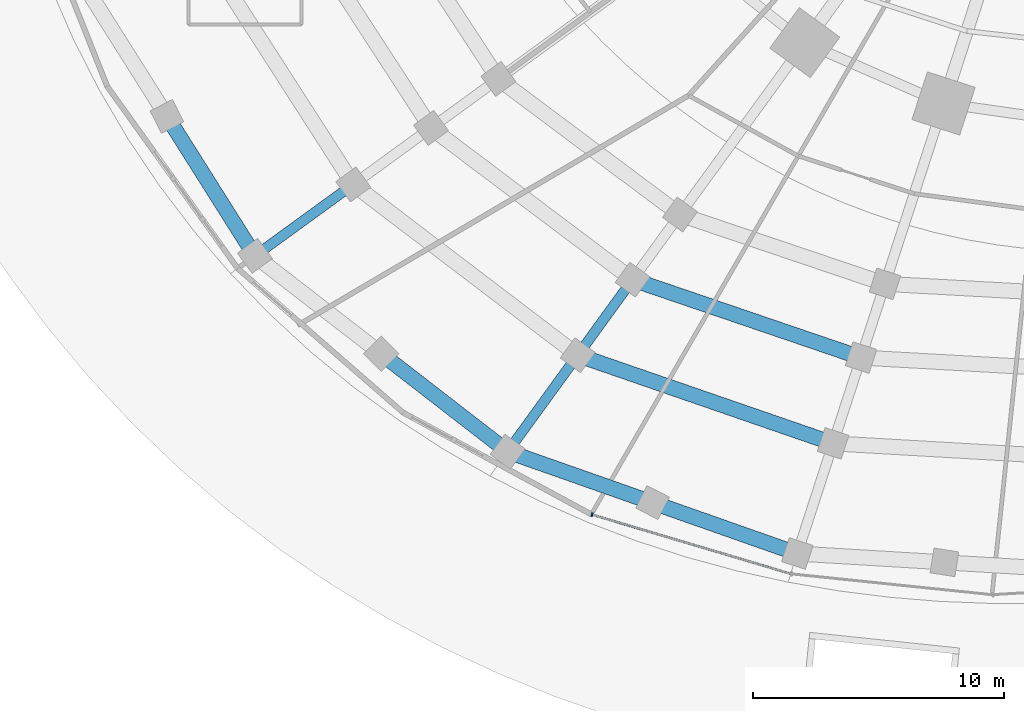
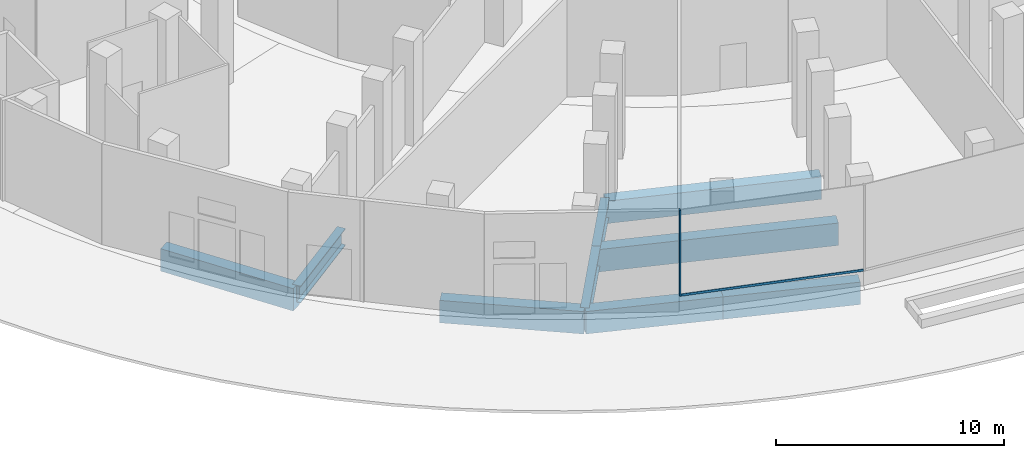
# One storey, part 2 of 23: 9 beams, 2 members, 1 element without a shape of its own.
"""IFC4 building model written with IfcOpenShell, lengths in metres."""

from ifc_helpers import new_model, si_unit, direction, frame, origin, origin_2d, place, context, subcontext, project, spatial, rectangle, i_section, extrude, material, material_profile, profile_set, type_object, element, aggregate, save


model = new_model("IFC4")

# Units and contexts
model_context = context("Model", 3, precision=1e-05, world=origin(), true_north=direction((0.0, 1.0)))
body_context = subcontext(model_context, "Body", "Model", "MODEL_VIEW")
ifc_project = project(units=[si_unit("LENGTHUNIT", "METRE"), si_unit("AREAUNIT", "SQUARE_METRE"), si_unit("VOLUMEUNIT", "CUBIC_METRE"), si_unit("PLANEANGLEUNIT", "RADIAN"), si_unit("MASSUNIT", "GRAM", prefix="KILO")], contexts=[model_context])

# Site, building, storey
site_placement = place(None, origin())
site = spatial("IfcSite", under=ifc_project, at=site_placement, CompositionType="ELEMENT")
building_placement = place(site_placement, origin())
building = spatial("IfcBuilding", under=site, at=building_placement, Name="Marramba Exchange Tower", CompositionType="ELEMENT")
storey_placement = place(building_placement, origin())
storey = spatial("IfcBuildingStorey", under=building, at=storey_placement, Name="L00", CompositionType="ELEMENT", Elevation=0.0)

# Beams
ifc_material_1 = material(Name="Concrete N50", Category="concrete")
ifc_material_profile_1 = material_profile(ifc_material_1, rectangle(XDim=0.60009765625, YDim=1.199951171875, at=origin_2d()), Name="RC 600x1200")
ifc_profile_set_1 = profile_set([ifc_material_profile_1], Name="Concrete N50")
beam_type_1 = type_object("IfcBeamType", Name="Edge beam RC 600x1200 N50", PredefinedType="SPANDREL", material=ifc_profile_set_1)
beam_1_placement = place(storey_placement, frame((-36.857666015625, -18.67333984375, -0.800048828125), z_axis=(0.533457535763, -0.845826848438, 0.0), x_axis=(0.845826848438, 0.533457535763, 0.0)))
element("IfcBeam", 1, at=beam_1_placement, inside=storey, type_object=beam_type_1, Name="Edge beam L00 P0C12 half 2", PredefinedType="SPANDREL", context=body_context, shape_type="SweptSolid", body=[
    extrude(rectangle(XDim=0.60009765625, YDim=1.199951171875, at=origin_2d()), origin(), (0.0, 0.0, 1.0), 6.571533203125),
])
beam_2_placement = place(storey_placement, frame((-28.3134765625, -28.13330078125, -0.800048828125), z_axis=(0.790645934267, -0.612273637051, 0.0), x_axis=(0.612273637051, 0.790645934267, 0.0)))
element("IfcBeam", 2, at=beam_2_placement, inside=storey, type_object=beam_type_1, Name="Edge beam L00 P0C13 half 2", PredefinedType="SPANDREL", context=body_context, shape_type="SweptSolid", body=[
    extrude(rectangle(XDim=0.60009765625, YDim=1.199951171875, at=origin_2d()), origin(), (0.0, 0.0, 1.0), 6.372802734375),
])
beam_3_placement = place(storey_placement, frame((-23.27490234375, -32.03515625, -0.800048828125), z_axis=(0.943327886486, -0.331862168042, 0.0), x_axis=(0.331862168042, 0.943327886486, 0.0)))
element("IfcBeam", 3, at=beam_3_placement, inside=storey, type_object=beam_type_1, Name="Edge beam L00 P0C14 half 1", PredefinedType="SPANDREL", context=body_context, shape_type="SweptSolid", body=[
    extrude(rectangle(XDim=0.60009765625, YDim=1.199951171875, at=origin_2d()), origin(), (0.0, 0.0, 1.0), 6.1201171875),
])
beam_4_placement = place(storey_placement, frame((-17.501708984375, -34.066162109375, -0.800048828125), z_axis=(0.943311003033, -0.33191015585, 0.0), x_axis=(0.33191015585, 0.943311003033, 0.0)))
element("IfcBeam", 4, at=beam_4_placement, inside=storey, type_object=beam_type_1, Name="Edge beam L00 P0C14 half 2", PredefinedType="SPANDREL", context=body_context, shape_type="SweptSolid", body=[
    extrude(rectangle(XDim=0.60009765625, YDim=1.199951171875, at=origin_2d()), origin(), (0.0, 0.0, 1.0), 6.119873046875),
])
beam_5_placement = place(storey_placement, frame((-20.482666015625, -28.19189453125, -0.800048828125), z_axis=(0.945263321131, -0.326308525364, 0.0), x_axis=(0.326308525364, 0.945263321131, 0.0)))
element("IfcBeam", 5, at=beam_5_placement, inside=storey, type_object=beam_type_1, Name="Edge beam L00 P1C14", PredefinedType="SPANDREL", context=body_context, shape_type="SweptSolid", body=[
    extrude(rectangle(XDim=0.60009765625, YDim=1.199951171875, at=origin_2d()), origin(), (0.0, 0.0, 1.0), 10.770263671875),
])
beam_6_placement = place(storey_placement, frame((-18.29443359375, -25.18017578125, -0.800048828125), z_axis=(0.946485697002, -0.322745759649, 0.0), x_axis=(0.322745759649, 0.946485697002, 0.0)))
element("IfcBeam", 6, at=beam_6_placement, inside=storey, type_object=beam_type_1, Name="Edge beam L00 P2C14", PredefinedType="SPANDREL", context=body_context, shape_type="SweptSolid", body=[
    extrude(rectangle(XDim=0.60009765625, YDim=1.199951171875, at=origin_2d()), origin(), (0.0, 0.0, 1.0), 9.618896484375),
])

# Curtain wall, members
ifc_material_2 = material(Name="Aluminium framing, bronze anodised", Category="aluminium")
curtain_wall_type = type_object("IfcCurtainWallType", Name="Exchange hall glazed wall", PredefinedType="USERDEFINED", material=ifc_material_2)
curtain_wall_placement = place(storey_placement, origin())
curtain_wall = element("IfcCurtainWall", 7, at=curtain_wall_placement, inside=storey, type_object=curtain_wall_type, Name="Curtain wall CW1 L00 F21-F24", ObjectType="RIBBON CURTAIN WALL", PredefinedType="USERDEFINED")
ifc_material_3 = material(Name="Aluminium mullion, bronze anodised", Category="aluminium")
ifc_material_profile_2 = material_profile(ifc_material_3, rectangle(XDim=0.159912109375, YDim=0.06005859375, at=origin_2d()), Name="CW1 mullion 60x160")
ifc_profile_set_2 = profile_set([ifc_material_profile_2], Name="Aluminium mullion, bronze anodised")
member_type_1 = type_object("IfcMemberType", Name="Exchange hall glazed wall mullion", PredefinedType="MULLION", material=ifc_profile_set_2)
member_1_placement = place(storey_placement, frame((-19.9111328125, -34.54541015625, 0.800048828125), z_axis=(0.0, 0.0, 1.0), x_axis=(0.285620767277, 0.958342724342, 0.0)))
member_1 = element("IfcMember", 8, at=member_1_placement, type_object=member_type_1, Name="CW1 mullion 1", PredefinedType="MULLION", context=body_context, shape_type="SweptSolid", body=[
    extrude(rectangle(XDim=0.159912109375, YDim=0.06005859375, at=origin_2d()), origin(), (0.0, 0.0, 1.0), 4.599853515625),
])
ifc_material_4 = material(Name="Aluminium transom, bronze anodised", Category="aluminium")
ifc_material_profile_3 = material_profile(ifc_material_4, rectangle(XDim=0.06005859375, YDim=0.1201171875, at=origin_2d()), Name="CW1 transom 60x120")
ifc_profile_set_3 = profile_set([ifc_material_profile_3], Name="Aluminium transom, bronze anodised")
member_type_2 = type_object("IfcMemberType", Name="Exchange hall glazed wall transom", PredefinedType="USERDEFINED", material=ifc_profile_set_3)
member_2_placement = place(storey_placement, frame((-19.88232421875, -34.553955078125, 0.830078125), z_axis=(0.958341313042, -0.285625502569, 0.0), x_axis=(0.285625502569, 0.958341313042, 0.0)))
member_2 = element("IfcMember", 9, at=member_2_placement, type_object=member_type_2, Name="CW1 sill transom", ObjectType="TRANSOM", PredefinedType="USERDEFINED", context=body_context, shape_type="SweptSolid", body=[
    extrude(rectangle(XDim=0.06005859375, YDim=0.1201171875, at=origin_2d()), origin(), (0.0, 0.0, 1.0), 8.23388671875),
])
aggregate(curtain_wall, [member_1, member_2])

# Beams
ifc_material_5 = material(Name="Steel AS/NZS 3679.2 grade 300", Category="steel")
ifc_material_profile_4 = material_profile(ifc_material_5, i_section(OverallWidth=0.39990234375, OverallDepth=0.89990234375, WebThickness=0.01611328125, FlangeThickness=0.031982421875, at=origin_2d()), Name="900WB282")
ifc_profile_set_4 = profile_set([ifc_material_profile_4], Name="Steel AS/NZS 3679.2 grade 300")
beam_type_2 = type_object("IfcBeamType", Name="Radial girder 900WB282", PredefinedType="BEAM", material=ifc_profile_set_4)
beam_7_placement = place(storey_placement, frame((-33.35205078125, -24.231689453125, -0.64990234375), z_axis=(0.809016983411, 0.587785267382, 0.0), x_axis=(-0.587785267382, 0.809016983411, 0.0)))
element("IfcBeam", 10, at=beam_7_placement, inside=storey, type_object=beam_type_2, Name="Radial girder L00 P0C13", PredefinedType="BEAM", context=body_context, shape_type="SweptSolid", body=[
    extrude(i_section(OverallWidth=0.39990234375, OverallDepth=0.89990234375, WebThickness=0.01611328125, FlangeThickness=0.031982421875, at=origin_2d()), origin(), (0.0, 0.0, 1.0), 4.8466796875),
])
beam_8_placement = place(storey_placement, frame((-23.27490234375, -32.03515625, -0.64990234375), z_axis=(0.587777432496, 0.809022675732, 0.0), x_axis=(-0.809022675732, 0.587777432496, 0.0)))
element("IfcBeam", 11, at=beam_8_placement, inside=storey, type_object=beam_type_2, Name="Radial girder L00 P0C14", PredefinedType="BEAM", context=body_context, shape_type="SweptSolid", body=[
    extrude(i_section(OverallWidth=0.39990234375, OverallDepth=0.89990234375, WebThickness=0.01611328125, FlangeThickness=0.031982421875, at=origin_2d()), origin(), (0.0, 0.0, 1.0), 4.75048828125),
])
beam_9_placement = place(storey_placement, frame((-20.482666015625, -28.19189453125, -0.64990234375), z_axis=(0.587801192771, 0.809005412699, 0.0), x_axis=(-0.809005412699, 0.587801192771, 0.0)))
element("IfcBeam", 12, at=beam_9_placement, inside=storey, type_object=beam_type_2, Name="Radial girder L00 P1C14", PredefinedType="BEAM", context=body_context, shape_type="SweptSolid", body=[
    extrude(i_section(OverallWidth=0.39990234375, OverallDepth=0.89990234375, WebThickness=0.01611328125, FlangeThickness=0.031982421875, at=origin_2d()), origin(), (0.0, 0.0, 1.0), 3.72265625),
])

save(model, "model.ifc")
